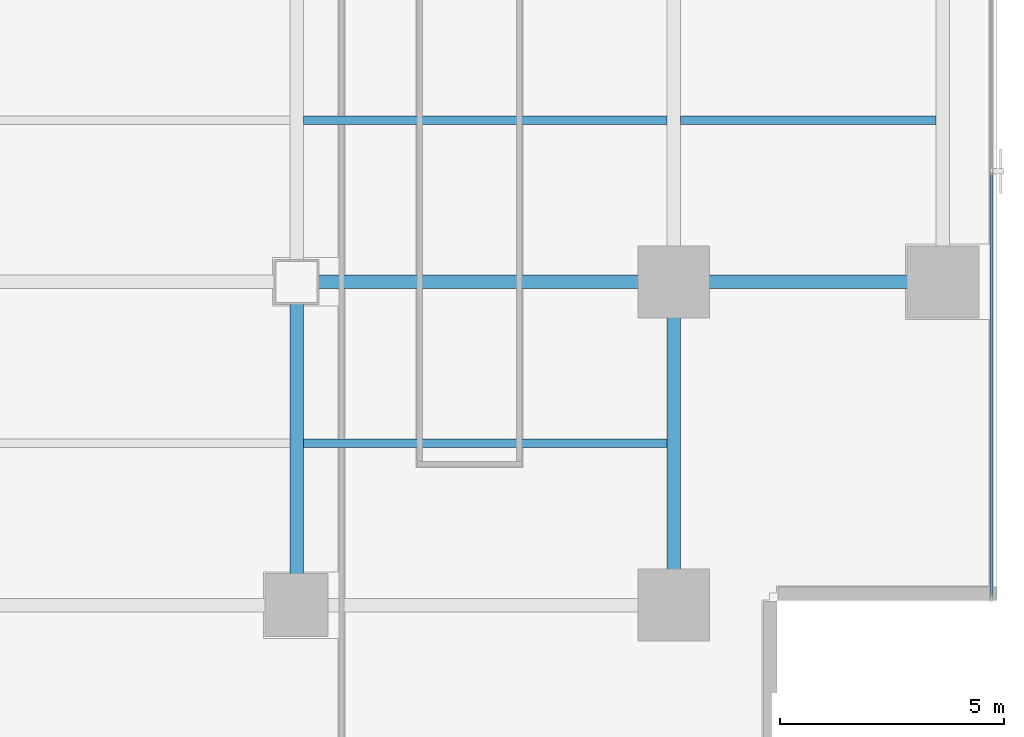
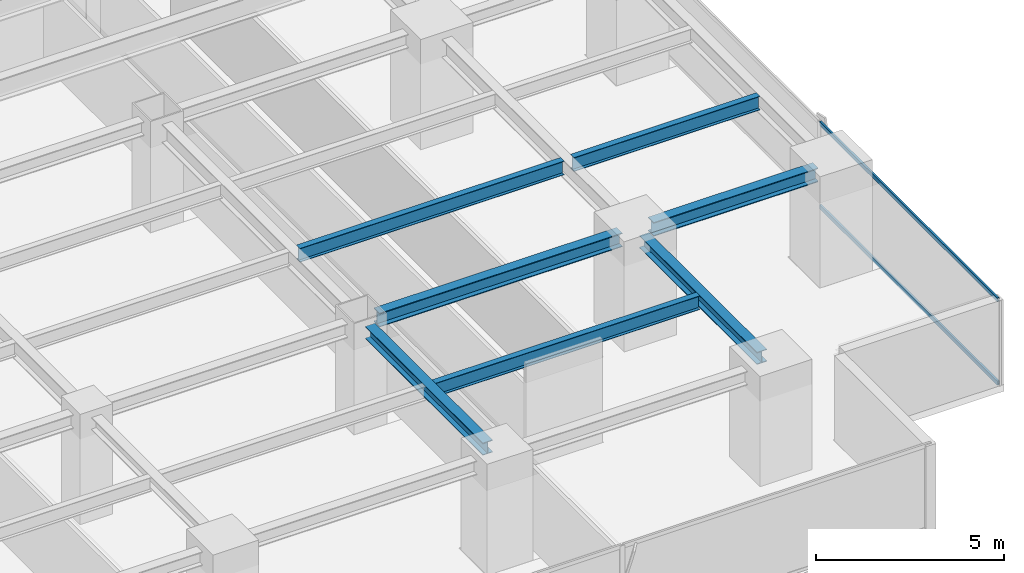
# One storey, part 10 of 27: 7 beams, 2 members, 1 element without a shape of its own.
"""IFC4 building model written with IfcOpenShell, lengths in metres."""

from ifc_helpers import new_model, si_unit, direction, frame, origin, origin_2d, place, context, subcontext, project, spatial, hollow_rectangle, i_section, extrude, source, transform, mapped, material, layer, layer_set, material_profile, profile_set, type_object, element, aggregate, save


model = new_model("IFC4")

# Units and contexts
model_context = context("Model", 3, precision=1e-05, world=origin(), true_north=direction((0.0, 1.0)))
body_context = subcontext(model_context, "Body", "Model", "MODEL_VIEW")
ifc_project = project(units=[si_unit("LENGTHUNIT", "METRE"), si_unit("AREAUNIT", "SQUARE_METRE"), si_unit("VOLUMEUNIT", "CUBIC_METRE"), si_unit("PLANEANGLEUNIT", "RADIAN"), si_unit("MASSUNIT", "GRAM", prefix="KILO")], contexts=[model_context])

# Site, building, storey
site_placement = place(None, origin())
site = spatial("IfcSite", under=ifc_project, at=site_placement, CompositionType="ELEMENT")
building_placement = place(site_placement, origin())
building = spatial("IfcBuilding", under=site, at=building_placement, Name="Sumidabori Civic Tower", CompositionType="ELEMENT")
storey_placement = place(building_placement, frame((0.0, 0.0, 138.800048828125)))
storey = spatial("IfcBuildingStorey", under=building, at=storey_placement, Name="L35", CompositionType="ELEMENT", Elevation=138.800048828125)

# Beams
ifc_material_1 = material(Name="Steel SN490", Category="steel")
ifc_material_profile_1 = material_profile(ifc_material_1, i_section(OverallWidth=0.300048828125, OverallDepth=0.39990234375, WebThickness=0.013427734375, FlangeThickness=0.02392578125, at=origin_2d()), Name="HE 400 B")
ifc_profile_set_1 = profile_set([ifc_material_profile_1], Name="Steel SN490")
beam_type_1 = type_object("IfcBeamType", Name="BM-GIRD-400", PredefinedType="BEAM", material=ifc_profile_set_1)
shared_shape_1 = source(origin(), body_context, "Body", "SweptSolid", [
    extrude(i_section(OverallWidth=0.300048828125, OverallDepth=0.39990234375, WebThickness=0.013427734375, FlangeThickness=0.02392578125, at=origin_2d()), origin(), (0.0, 0.0, 1.0), 6.239990234375),
])
for number, where, z_axis, x_axis, name in (
    (1, (8.39990234375, -17.52001953125, 3.179931640625), (0.0, 1.0, 0.0), (-1.0, 0.0, 0.0), "Primary Girder L35 GY-30"),
    (2, (16.800048828125, -17.52001953125, 3.179931640625), (0.0, 1.0, 0.0), (-1.0, 0.0, 0.0), "Primary Girder L35 GY-32"),
):
    element("IfcBeam", number, at=place(storey_placement, frame(where, z_axis=z_axis, x_axis=x_axis)), inside=storey, type_object=beam_type_1, Name=name, PredefinedType="BEAM", context=body_context, shape_type="MappedRepresentation", body=[
        mapped(shared_shape_1, transform((0.0, 0.0, 0.0), x_axis=(1.0, 0.0, 0.0), y_axis=(0.0, 1.0, 0.0), z_axis=(0.0, 0.0, 1.0), scale=1.0)),
    ])
ifc_material_profile_2 = material_profile(ifc_material_1, i_section(OverallWidth=0.18994140625, OverallDepth=0.449951171875, WebThickness=0.009521484375, FlangeThickness=0.0146484375, at=origin_2d()), Name="IPE 450")
ifc_profile_set_2 = profile_set([ifc_material_profile_2], Name="Steel SN490")
beam_type_2 = type_object("IfcBeamType", Name="BM-JST-450", PredefinedType="JOIST", material=ifc_profile_set_2)
shared_shape_2 = source(origin(), body_context, "Body", "SweptSolid", [
    extrude(i_section(OverallWidth=0.18994140625, OverallDepth=0.449951171875, WebThickness=0.009521484375, FlangeThickness=0.0146484375, at=origin_2d()), origin(), (0.0, 0.0, 1.0), 5.699951171875),
])
beam_1_placement = place(storey_placement, frame((16.949951171875, -7.199951171875, 3.155029296875), z_axis=(1.0, 0.0, 0.0), x_axis=(0.0, 1.0, 0.0)))
element("IfcBeam", 3, at=beam_1_placement, inside=storey, type_object=beam_type_2, Name="Outer Bay Floor Joist L35 JSTO-40", PredefinedType="JOIST", context=body_context, shape_type="MappedRepresentation", body=[
    mapped(shared_shape_2, transform((0.0, 0.0, 0.0), x_axis=(1.0, 0.0, 0.0), y_axis=(0.0, 1.0, 0.0), z_axis=(0.0, 0.0, 1.0), scale=1.0)),
])
shared_shape_3 = source(origin(), body_context, "Body", "SweptSolid", [
    extrude(i_section(OverallWidth=0.18994140625, OverallDepth=0.449951171875, WebThickness=0.009521484375, FlangeThickness=0.0146484375, at=origin_2d()), origin(), (0.0, 0.0, 1.0), 8.099853515625),
])
for number, where, z_axis, x_axis, name in (
    (4, (8.550048828125, -14.39990234375, 3.155029296875), (1.0, 0.0, 0.0), (0.0, 1.0, 0.0), "South Bay Floor Joist L35 JSTS-52"),
    (5, (8.550048828125, -7.199951171875, 3.155029296875), (1.0, 0.0, 0.0), (0.0, 1.0, 0.0), "South Bay Floor Joist L35 JSTS-56"),
):
    element("IfcBeam", number, at=place(storey_placement, frame(where, z_axis=z_axis, x_axis=x_axis)), inside=storey, type_object=beam_type_2, Name=name, PredefinedType="JOIST", context=body_context, shape_type="MappedRepresentation", body=[
        mapped(shared_shape_3, transform((0.0, 0.0, 0.0), x_axis=(1.0, 0.0, 0.0), y_axis=(0.0, 1.0, 0.0), z_axis=(0.0, 0.0, 1.0), scale=1.0)),
    ])
ifc_material_profile_3 = material_profile(ifc_material_1, i_section(OverallWidth=0.300048828125, OverallDepth=0.449951171875, WebThickness=0.013916015625, FlangeThickness=0.02587890625, at=origin_2d()), Name="HE 450 B")
ifc_profile_set_3 = profile_set([ifc_material_profile_3], Name="Steel SN490")
beam_type_3 = type_object("IfcBeamType", Name="BM-GIRD-450", PredefinedType="BEAM", material=ifc_profile_set_3)
shared_shape_4 = source(origin(), body_context, "Body", "SweptSolid", [
    extrude(i_section(OverallWidth=0.300048828125, OverallDepth=0.449951171875, WebThickness=0.013916015625, FlangeThickness=0.02587890625, at=origin_2d()), origin(), (0.0, 0.0, 1.0), 7.440185546875),
])
beam_2_placement = place(storey_placement, frame((8.8798828125, -10.800048828125, 3.155029296875), z_axis=(1.0, 0.0, 0.0), x_axis=(0.0, 1.0, 0.0)))
element("IfcBeam", 6, at=beam_2_placement, inside=storey, type_object=beam_type_3, Name="Primary Girder L35 GX-09", PredefinedType="BEAM", context=body_context, shape_type="MappedRepresentation", body=[
    mapped(shared_shape_4, transform((0.0, 0.0, 0.0), x_axis=(1.0, 0.0, 0.0), y_axis=(0.0, 1.0, 0.0), z_axis=(0.0, 0.0, 1.0), scale=1.0)),
])
shared_shape_5 = source(origin(), body_context, "Body", "SweptSolid", [
    extrude(i_section(OverallWidth=0.300048828125, OverallDepth=0.449951171875, WebThickness=0.013916015625, FlangeThickness=0.02587890625, at=origin_2d()), origin(), (0.0, 0.0, 1.0), 5.0400390625),
])
beam_3_placement = place(storey_placement, frame((17.280029296875, -10.800048828125, 3.155029296875), z_axis=(1.0, 0.0, 0.0), x_axis=(0.0, 1.0, 0.0)))
element("IfcBeam", 7, at=beam_3_placement, inside=storey, type_object=beam_type_3, Name="Primary Girder L35 GX-10", PredefinedType="BEAM", context=body_context, shape_type="MappedRepresentation", body=[
    mapped(shared_shape_5, transform((0.0, 0.0, 0.0), x_axis=(1.0, 0.0, 0.0), y_axis=(0.0, 1.0, 0.0), z_axis=(0.0, 0.0, 1.0), scale=1.0)),
])

# Curtain wall, members
ifc_material_2 = material(Name="Anodised Bronze Aluminium AW-6063-T6", Category="aluminium")
ifc_layer = layer(ifc_material_2, 0.179931640625, Name="Anodised Bronze Aluminium AW-6063-T6")
ifc_layer_set = layer_set([ifc_layer], Name="Anodised Bronze Aluminium AW-6063-T6")
curtain_wall_type = type_object("IfcCurtainWallType", Name="CW-SYS-3", PredefinedType="NOTDEFINED", material=ifc_layer_set)
curtain_wall_placement = place(storey_placement, origin())
curtain_wall = element("IfcCurtainWall", 8, at=curtain_wall_placement, inside=storey, type_object=curtain_wall_type, Name="Curtain Wall CW:L35:R04", PredefinedType="NOTDEFINED")
ifc_material_profile_4 = material_profile(ifc_material_2, hollow_rectangle(XDim=0.06005859375, YDim=0.1298828125, WallThickness=0.0048828125, at=origin_2d()), Name="ALU TRANSOM 130x60")
ifc_profile_set_4 = profile_set([ifc_material_profile_4], Name="Anodised Bronze Aluminium AW-6063-T6")
member_type = type_object("IfcMemberType", Name="CW-TRN-130", PredefinedType="USERDEFINED", material=ifc_profile_set_4)
shared_shape_6 = source(origin(), body_context, "Body", "SweptSolid", [
    extrude(hollow_rectangle(XDim=0.06005859375, YDim=0.1298828125, WallThickness=0.0048828125, at=origin_2d()), origin(), (0.0, 0.0, 1.0), 9.4375),
])
member_1_placement = place(storey_placement, frame((23.8798828125, -17.804931640625, 0.030029296875), z_axis=(0.0, 1.0, 0.0), x_axis=(-1.0, 0.0, 0.0)))
member_1 = element("IfcMember", 9, at=member_1_placement, type_object=member_type, Name="CW-3 transom 1.1", ObjectType="TRANSOM", PredefinedType="USERDEFINED", context=body_context, shape_type="MappedRepresentation", body=[
    mapped(shared_shape_6, transform((0.0, 0.0, 0.0), x_axis=(1.0, 0.0, 0.0), y_axis=(0.0, 1.0, 0.0), z_axis=(0.0, 0.0, 1.0), scale=1.0)),
])
member_2_placement = place(storey_placement, frame((23.8798828125, -17.804931640625, 2.72998046875), z_axis=(0.0, 1.0, 0.0), x_axis=(-1.0, 0.0, 0.0)))
member_2 = element("IfcMember", 10, at=member_2_placement, type_object=member_type, Name="CW-3 transom 1.2", ObjectType="TRANSOM", PredefinedType="USERDEFINED", context=body_context, shape_type="MappedRepresentation", body=[
    mapped(shared_shape_6, transform((0.0, 0.0, 0.0), x_axis=(1.0, 0.0, 0.0), y_axis=(0.0, 1.0, 0.0), z_axis=(0.0, 0.0, 1.0), scale=1.0)),
])
aggregate(curtain_wall, [member_1, member_2])

save(model, "model.ifc")
